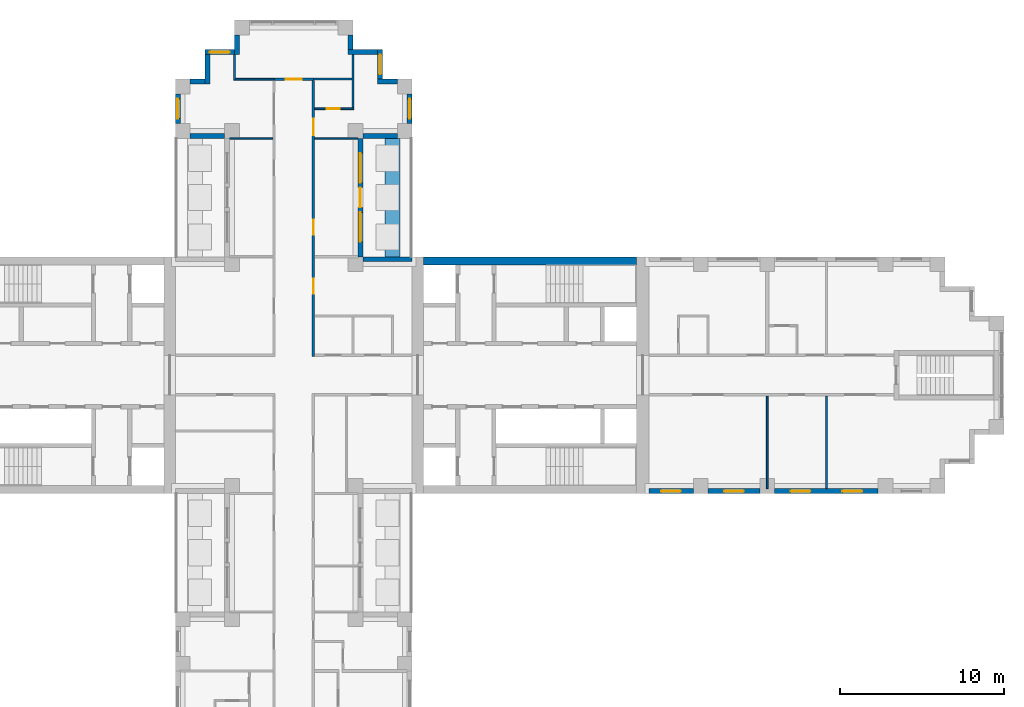
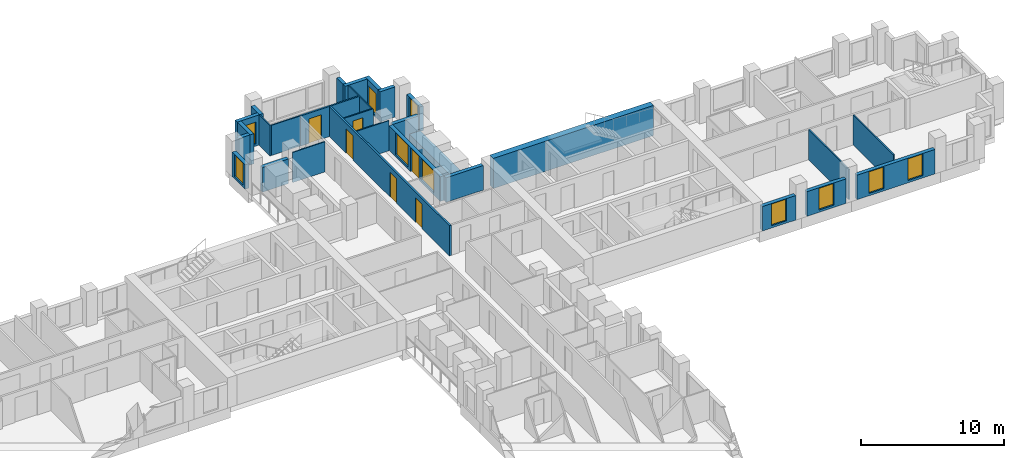
# One storey, part 9 of 13: 30 walls, 10 windows, 6 doors, 16 openings.
"""IFC4 building model written with IfcOpenShell, lengths in metres."""

from ifc_helpers import new_model, si_unit, direction, frame, frame_2d, origin, place, context, subcontext, project, spatial, rectangle, extrude, material, layer, layer_set, type_object, element, fill, save


model = new_model("IFC4")

# Units and contexts
model_context = context("Model", 3, precision=1e-05, world=origin(), true_north=direction((0.0, 1.0)))
body_context = subcontext(model_context, "Body", "Model", "MODEL_VIEW")
ifc_project = project(units=[si_unit("LENGTHUNIT", "METRE"), si_unit("AREAUNIT", "SQUARE_METRE"), si_unit("VOLUMEUNIT", "CUBIC_METRE"), si_unit("PLANEANGLEUNIT", "RADIAN"), si_unit("MASSUNIT", "GRAM", prefix="KILO")], contexts=[model_context])

# Site, building, storey
site_placement = place(None, origin())
site = spatial("IfcSite", under=ifc_project, at=site_placement, CompositionType="ELEMENT")
building_placement = place(site_placement, origin())
building = spatial("IfcBuilding", under=site, at=building_placement, Name="Fustian Cross Tower", CompositionType="ELEMENT")
storey_placement = place(building_placement, frame((0.0, 0.0, 87.89990234375)))
storey = spatial("IfcBuildingStorey", under=building, at=storey_placement, Name="L27", CompositionType="ELEMENT", Elevation=87.89990234375)

# Wall, opening, door
ifc_material_1 = material(Name="Plasterboard on steel stud", Category="steel")
ifc_layer_1 = layer(ifc_material_1, 0.14990234375)
ifc_layer_set_1 = layer_set([ifc_layer_1], Name="Plasterboard on steel stud")
wall_type_1 = type_object("IfcWallType", Name="COMPARTMENT WALL 150 EI 60", PredefinedType="PARTITIONING", material=ifc_layer_set_1)
wall_1_placement = place(storey_placement, frame((-1.199951171875, 18.0, 0.0), z_axis=(0.0, 0.0, 1.0), x_axis=(1.0, 0.0, 0.0)))
wall_1 = element("IfcWall", 1, at=wall_1_placement, inside=storey, type_object=wall_type_1, Name="Partition 40", PredefinedType="PARTITIONING", context=body_context, shape_type="SweptSolid", body=[
    extrude(rectangle(XDim=2.39990234375, YDim=0.14990234375, at=frame_2d((1.199951171875, 0.0))), origin(), (0.0, 0.0, 1.0), 2.5751953125),
])
opening_1_placement = place(wall_1_placement, frame((0.699951171875, 0.0, 0.0)))
opening_1 = element("IfcOpeningElement", 2, at=opening_1_placement, cuts=wall_1, Name="Opening D13017", PredefinedType="OPENING", context=body_context, shape_type="SweptSolid", body=[
    extrude(rectangle(XDim=1.0, YDim=2.10009765625, at=frame_2d((0.5, 1.050048828125))), frame((0.0, 0.0849609375, 0.0), z_axis=(0.0, -1.0, 0.0), x_axis=(1.0, 0.0, 0.0)), (0.0, 0.0, 1.0), 0.169921875),
])
ifc_material_2 = material(Name="Timber fire door set", Category="wood")
door_type_1 = type_object("IfcDoorType", Name="FIRE SWING DOOR 1000 FD30S", OperationType="SINGLE_SWING_LEFT", PredefinedType="DOOR", material=ifc_material_2)
door_1_placement = place(opening_1_placement, origin())
door_1 = element("IfcDoor", 3, at=door_1_placement, inside=storey, type_object=door_type_1, Name="Door D13017", OperationType="SINGLE_SWING_LEFT", OverallHeight=2.10009765625, OverallWidth=1.0, PredefinedType="DOOR", context=body_context, shape_type="SweptSolid", body=[
    extrude(rectangle(XDim=1.0, YDim=2.10009765625, at=frame_2d((0.5, 1.050048828125))), frame((0.0, 0.02490234375, 0.0), z_axis=(0.0, -1.0, 0.0), x_axis=(1.0, 0.0, 0.0)), (0.0, 0.0, 1.0), 0.050048828125),
])
fill(opening_1, door_1)

# Wall, openings, doors
wall_2_placement = place(storey_placement, frame((1.199951171875, 1.125, 0.0), z_axis=(0.0, 0.0, 1.0), x_axis=(0.0, 1.0, 0.0)))
wall_2 = element("IfcWall", 4, at=wall_2_placement, inside=storey, type_object=wall_type_1, Name="Partition 49", PredefinedType="PARTITIONING", context=body_context, shape_type="SweptSolid", body=[
    extrude(rectangle(XDim=16.800048828125, YDim=0.14990234375, at=frame_2d((8.39990234375, 0.0))), origin(), (0.0, 0.0, 1.0), 2.5751953125),
])
opening_2_placement = place(wall_2_placement, frame((3.824951171875, 0.0, 0.0)))
opening_2 = element("IfcOpeningElement", 5, at=opening_2_placement, cuts=wall_2, Name="Opening D13003", PredefinedType="OPENING", context=body_context, shape_type="SweptSolid", body=[
    extrude(rectangle(XDim=0.89990234375, YDim=2.10009765625, at=frame_2d((0.449951171875, 1.050048828125))), frame((0.0, 0.0849609375, 0.0), z_axis=(0.0, -1.0, 0.0), x_axis=(1.0, 0.0, 0.0)), (0.0, 0.0, 1.0), 0.169921875),
])
opening_3_placement = place(wall_2_placement, frame((7.425048828125, 0.0, 0.0)))
opening_3 = element("IfcOpeningElement", 6, at=opening_3_placement, cuts=wall_2, Name="Opening D13020", PredefinedType="OPENING", context=body_context, shape_type="SweptSolid", body=[
    extrude(rectangle(XDim=0.89990234375, YDim=2.10009765625, at=frame_2d((0.449951171875, 1.050048828125))), frame((0.0, 0.0849609375, 0.0), z_axis=(0.0, -1.0, 0.0), x_axis=(1.0, 0.0, 0.0)), (0.0, 0.0, 1.0), 0.169921875),
])
opening_4_placement = place(wall_2_placement, frame((13.47509765625, 0.0, 0.0)))
opening_4 = element("IfcOpeningElement", 7, at=opening_4_placement, cuts=wall_2, Name="Opening D13022", PredefinedType="OPENING", context=body_context, shape_type="SweptSolid", body=[
    extrude(rectangle(XDim=1.0, YDim=2.10009765625, at=frame_2d((0.5, 1.050048828125))), frame((0.0, 0.0849609375, 0.0), z_axis=(0.0, -1.0, 0.0), x_axis=(1.0, 0.0, 0.0)), (0.0, 0.0, 1.0), 0.169921875),
])
door_2_placement = place(opening_4_placement, frame((1.0, 0.0, 0.0), z_axis=(0.0, 0.0, 1.0), x_axis=(-1.0, 0.0, 0.0)))
door_2 = element("IfcDoor", 8, at=door_2_placement, inside=storey, type_object=door_type_1, Name="Door D13022", OperationType="SINGLE_SWING_RIGHT", OverallHeight=2.10009765625, OverallWidth=1.0, PredefinedType="DOOR", context=body_context, shape_type="SweptSolid", body=[
    extrude(rectangle(XDim=1.0, YDim=2.10009765625, at=frame_2d((0.5, 1.050048828125))), frame((0.0, 0.02490234375, 0.0), z_axis=(0.0, -1.0, 0.0), x_axis=(1.0, 0.0, 0.0)), (0.0, 0.0, 1.0), 0.050048828125),
])
fill(opening_4, door_2)
ifc_material_3 = material(Name="Timber fire door set", Category="wood")
door_type_2 = type_object("IfcDoorType", Name="FIRE SWING DOOR 900 FD30S", OperationType="SINGLE_SWING_LEFT", PredefinedType="DOOR", material=ifc_material_3)
door_3_placement = place(opening_2_placement, frame((0.89990234375, 0.0, 0.0), z_axis=(0.0, 0.0, 1.0), x_axis=(-1.0, 0.0, 0.0)))
door_3 = element("IfcDoor", 9, at=door_3_placement, inside=storey, type_object=door_type_2, Name="Door D13003", OperationType="SINGLE_SWING_RIGHT", OverallHeight=2.10009765625, OverallWidth=0.89990234375, PredefinedType="DOOR", context=body_context, shape_type="SweptSolid", body=[
    extrude(rectangle(XDim=0.89990234375, YDim=2.10009765625, at=frame_2d((0.449951171875, 1.050048828125))), frame((0.0, 0.02490234375, 0.0), z_axis=(0.0, -1.0, 0.0), x_axis=(1.0, 0.0, 0.0)), (0.0, 0.0, 1.0), 0.050048828125),
])
fill(opening_2, door_3)
door_4_placement = place(opening_3_placement, frame((0.89990234375, 0.0, 0.0), z_axis=(0.0, 0.0, 1.0), x_axis=(-1.0, 0.0, 0.0)))
door_4 = element("IfcDoor", 10, at=door_4_placement, inside=storey, type_object=door_type_2, Name="Door D13020", OperationType="SINGLE_SWING_RIGHT", OverallHeight=2.10009765625, OverallWidth=0.89990234375, PredefinedType="DOOR", context=body_context, shape_type="SweptSolid", body=[
    extrude(rectangle(XDim=0.89990234375, YDim=2.10009765625, at=frame_2d((0.449951171875, 1.050048828125))), frame((0.0, 0.02490234375, 0.0), z_axis=(0.0, -1.0, 0.0), x_axis=(1.0, 0.0, 0.0)), (0.0, 0.0, 1.0), 0.050048828125),
])
fill(opening_3, door_4)

# Walls
ifc_material_4 = material(Name="Concrete C70/85", Category="concrete")
ifc_layer_2 = layer(ifc_material_4, 0.5)
ifc_layer_set_2 = layer_set([ifc_layer_2], Name="Concrete C70/85")
wall_type_2 = type_object("IfcWallType", Name="CORE FACADE WALL 500 C70/85", PredefinedType="SHEAR", material=ifc_layer_set_2)
wall_3_placement = place(storey_placement, frame((7.89990234375, 6.949951171875, 0.0), z_axis=(0.0, 0.0, 1.0), x_axis=(1.0, 0.0, 0.0)))
element("IfcWall", 11, at=wall_3_placement, inside=storey, type_object=wall_type_2, Name="Core facade wall", PredefinedType="SHEAR", context=body_context, shape_type="SweptSolid", body=[
    extrude(rectangle(XDim=12.9501953125, YDim=0.5, at=frame_2d((6.47509765625, 0.0))), origin(), (0.0, 0.0, 1.0), 2.5751953125),
])
ifc_material_5 = material(Name="Plasterboard on steel stud", Category="steel")
ifc_layer_3 = layer(ifc_material_5, 0.10009765625)
ifc_layer_set_3 = layer_set([ifc_layer_3], Name="Plasterboard on steel stud")
wall_type_3 = type_object("IfcWallType", Name="PARTITION 100 STUD", PredefinedType="PARTITIONING", material=ifc_layer_set_3)
wall_4_placement = place(storey_placement, frame((-3.89990234375, 14.39990234375, 0.0), z_axis=(0.0, 0.0, 1.0), x_axis=(1.0, 0.0, 0.0)))
element("IfcWall", 12, at=wall_4_placement, inside=storey, type_object=wall_type_3, Name="Partition 34", PredefinedType="PARTITIONING", context=body_context, shape_type="SweptSolid", body=[
    extrude(rectangle(XDim=2.625, YDim=0.10009765625, at=frame_2d((1.3125, 0.0))), origin(), (0.0, 0.0, 1.0), 2.5751953125),
])
wall_5_placement = place(storey_placement, frame((-3.60009765625, 17.949951171875, 0.0), z_axis=(0.0, 0.0, 1.0), x_axis=(0.0, 1.0, 0.0)))
element("IfcWall", 13, at=wall_5_placement, inside=storey, type_object=wall_type_3, Name="Partition 35", PredefinedType="PARTITIONING", context=body_context, shape_type="SweptSolid", body=[
    extrude(rectangle(XDim=1.550048828125, YDim=0.10009765625, at=frame_2d((0.77490234375, 0.0))), origin(), (0.0, 0.0, 1.0), 2.5751953125),
])
wall_6_placement = place(storey_placement, frame((-3.550048828125, 18.0, 0.0), z_axis=(0.0, 0.0, 1.0), x_axis=(1.0, 0.0, 0.0)))
element("IfcWall", 14, at=wall_6_placement, inside=storey, type_object=wall_type_3, Name="Partition 36", PredefinedType="PARTITIONING", context=body_context, shape_type="SweptSolid", body=[
    extrude(rectangle(XDim=2.35009765625, YDim=0.10009765625, at=frame_2d((1.175048828125, 0.0))), origin(), (0.0, 0.0, 1.0), 2.5751953125),
])
wall_7_placement = place(storey_placement, frame((1.27490234375, 14.39990234375, 0.0), z_axis=(0.0, 0.0, 1.0), x_axis=(1.0, 0.0, 0.0)))
element("IfcWall", 15, at=wall_7_placement, inside=storey, type_object=wall_type_3, Name="Partition 53", PredefinedType="PARTITIONING", context=body_context, shape_type="SweptSolid", body=[
    extrude(rectangle(XDim=2.625, YDim=0.10009765625, at=frame_2d((1.3125, 0.0))), origin(), (0.0, 0.0, 1.0), 2.5751953125),
])

# Wall, opening, door
wall_8_placement = place(storey_placement, frame((1.27490234375, 16.199951171875, 0.0), z_axis=(0.0, 0.0, 1.0), x_axis=(1.0, 0.0, 0.0)))
wall_8 = element("IfcWall", 16, at=wall_8_placement, inside=storey, type_object=wall_type_3, Name="Partition 54", PredefinedType="PARTITIONING", context=body_context, shape_type="SweptSolid", body=[
    extrude(rectangle(XDim=2.375, YDim=0.10009765625, at=frame_2d((1.1875, 0.0))), origin(), (0.0, 0.0, 1.0), 2.5751953125),
])
opening_5_placement = place(wall_8_placement, frame((0.72509765625, 0.0, 0.0)))
opening_5 = element("IfcOpeningElement", 17, at=opening_5_placement, cuts=wall_8, Name="Opening D13021", PredefinedType="OPENING", context=body_context, shape_type="SweptSolid", body=[
    extrude(rectangle(XDim=0.800048828125, YDim=2.10009765625, at=frame_2d((0.39990234375, 1.050048828125))), frame((0.0, 0.06005859375, 0.0), z_axis=(0.0, -1.0, 0.0), x_axis=(1.0, 0.0, 0.0)), (0.0, 0.0, 1.0), 0.1201171875),
])
ifc_material_6 = material(Name="Painted timber", Category="wood")
door_type_3 = type_object("IfcDoorType", Name="SWING DOOR 800", OperationType="SINGLE_SWING_LEFT", PredefinedType="DOOR", material=ifc_material_6)
door_5_placement = place(opening_5_placement, origin())
door_5 = element("IfcDoor", 18, at=door_5_placement, inside=storey, type_object=door_type_3, Name="Door D13021", OperationType="SINGLE_SWING_LEFT", OverallHeight=2.10009765625, OverallWidth=0.800048828125, PredefinedType="DOOR", context=body_context, shape_type="SweptSolid", body=[
    extrude(rectangle(XDim=0.800048828125, YDim=2.10009765625, at=frame_2d((0.39990234375, 1.050048828125))), frame((0.0, 0.02490234375, 0.0), z_axis=(0.0, -1.0, 0.0), x_axis=(1.0, 0.0, 0.0)), (0.0, 0.0, 1.0), 0.050048828125),
])
fill(opening_5, door_5)

# Walls
wall_9_placement = place(storey_placement, frame((3.60009765625, 16.25, 0.0), z_axis=(0.0, 0.0, 1.0), x_axis=(0.0, 1.0, 0.0)))
element("IfcWall", 19, at=wall_9_placement, inside=storey, type_object=wall_type_3, Name="Partition 64", PredefinedType="PARTITIONING", context=body_context, shape_type="SweptSolid", body=[
    extrude(rectangle(XDim=3.25, YDim=0.10009765625, at=frame_2d((1.625, 0.0))), origin(), (0.0, 0.0, 1.0), 2.5751953125),
])
for number, where, z_axis, x_axis, name in (
    (20, (28.800048828125, -6.89990234375, 0.0), (0.0, 0.0, 1.0), (0.0, 1.0, 0.0), "Partition 75"),
    (21, (32.39990234375, -6.89990234375, 0.0), (0.0, 0.0, 1.0), (0.0, 1.0, 0.0), "Partition 79"),
):
    element("IfcWall", number, at=place(storey_placement, frame(where, z_axis=z_axis, x_axis=x_axis)), inside=storey, type_object=wall_type_3, Name=name, PredefinedType="PARTITIONING", context=body_context, shape_type="SweptSolid", body=[
        extrude(rectangle(XDim=5.625, YDim=0.10009765625, at=frame_2d((2.8125, 0.0))), origin(), (0.0, 0.0, 1.0), 2.5751953125),
    ])
ifc_material_7 = material(Name="Concrete C40/50", Category="concrete")
ifc_layer_4 = layer(ifc_material_7, 0.89990234375)
ifc_layer_set_4 = layer_set([ifc_layer_4], Name="Concrete C40/50")
wall_type_4 = type_object("IfcWallType", Name="PK1 PLANTER 900", PredefinedType="PARAPET", material=ifc_layer_set_4)
wall_10_placement = place(storey_placement, frame((6.0, 7.199951171875, 0.0), z_axis=(0.0, 0.0, 1.0), x_axis=(0.0, 1.0, 0.0)))
element("IfcWall", 22, at=wall_10_placement, inside=storey, type_object=wall_type_4, Name="PLANTER", PredefinedType="PARAPET", context=body_context, shape_type="SweptSolid", body=[
    extrude(rectangle(XDim=7.199951171875, YDim=0.89990234375, at=frame_2d((3.60009765625, 0.0))), origin(), (0.0, 0.0, 1.0), 0.800048828125),
])
ifc_material_8 = material(Name="Plasterboard on steel stud", Category="steel")
ifc_layer_5 = layer(ifc_material_8, 0.125)
ifc_layer_set_5 = layer_set([ifc_layer_5], Name="Plasterboard on steel stud")
wall_type_5 = type_object("IfcWallType", Name="WET WALL 125 STUD", PredefinedType="PARTITIONING", material=ifc_layer_set_5)
wall_11_placement = place(storey_placement, frame((1.199951171875, 18.0, 0.0), z_axis=(0.0, 0.0, 1.0), x_axis=(1.0, 0.0, 0.0)))
element("IfcWall", 23, at=wall_11_placement, inside=storey, type_object=wall_type_5, Name="Partition 55", PredefinedType="PARTITIONING", context=body_context, shape_type="SweptSolid", body=[
    extrude(rectangle(XDim=2.35009765625, YDim=0.125, at=frame_2d((1.175048828125, 0.0))), origin(), (0.0, 0.0, 1.0), 2.5751953125),
])

# Wall, opening, window
ifc_material_9 = material(Name="Dark aluminium cladding on insulated backing wall", Category="aluminium")
ifc_layer_6 = layer(ifc_material_9, 0.300048828125)
ifc_layer_set_6 = layer_set([ifc_layer_6], Name="Dark aluminium cladding on insulated backing wall")
wall_type_6 = type_object("IfcWallType", Name="XW1 EXTERNAL WALL 300", PredefinedType="SOLIDWALL", material=ifc_layer_set_6)
wall_12_placement = place(storey_placement, frame((21.60009765625, -7.050048828125, 0.0), z_axis=(0.0, 0.0, 1.0), x_axis=(1.0, 0.0, 0.0)))
wall_12 = element("IfcWall", 24, at=wall_12_placement, inside=storey, type_object=wall_type_6, Name="External wall", PredefinedType="SOLIDWALL", context=body_context, shape_type="SweptSolid", body=[
    extrude(rectangle(XDim=2.699951171875, YDim=0.300048828125, at=frame_2d((1.35009765625, 0.0))), origin(), (0.0, 0.0, 1.0), 2.10009765625),
])
opening_6_placement = place(wall_12_placement, frame((0.75, 0.0, 0.199951171875)))
opening_6 = element("IfcOpeningElement", 25, at=opening_6_placement, cuts=wall_12, Name="Opening WN3", PredefinedType="OPENING", context=body_context, shape_type="SweptSolid", body=[
    extrude(rectangle(XDim=1.199951171875, YDim=1.85009765625, at=frame_2d((0.60009765625, 0.925048828125))), frame((0.0, 0.159912109375, 0.0), z_axis=(0.0, -1.0, 0.0), x_axis=(1.0, 0.0, 0.0)), (0.0, 0.0, 1.0), 0.320068359375),
])
ifc_material_10 = material(Name="Dark anodised aluminium and double glazing", Category="aluminium")
window_type_1 = type_object("IfcWindowType", Name="WN3 WINDOW 1200X1850", PartitioningType="SINGLE_PANEL", PredefinedType="WINDOW", material=ifc_material_10)
window_1_placement = place(opening_6_placement, origin())
window_1 = element("IfcWindow", 26, at=window_1_placement, inside=storey, type_object=window_type_1, Name="Window", OverallHeight=1.85009765625, OverallWidth=1.199951171875, PartitioningType="SINGLE_PANEL", PredefinedType="WINDOW", context=body_context, shape_type="SweptSolid", body=[
    extrude(rectangle(XDim=1.199951171875, YDim=1.85009765625, at=frame_2d((0.60009765625, 0.925048828125))), frame((0.0, 0.030029296875, 0.0), z_axis=(0.0, -1.0, 0.0), x_axis=(1.0, 0.0, 0.0)), (0.0, 0.0, 1.0), 0.06005859375),
])
fill(opening_6, window_1)

wall_13_placement = place(storey_placement, frame((25.199951171875, -7.050048828125, 0.0), z_axis=(0.0, 0.0, 1.0), x_axis=(1.0, 0.0, 0.0)))
wall_13 = element("IfcWall", 27, at=wall_13_placement, inside=storey, type_object=wall_type_6, Name="External wall", PredefinedType="SOLIDWALL", context=body_context, shape_type="SweptSolid", body=[
    extrude(rectangle(XDim=3.150146484375, YDim=0.300048828125, at=frame_2d((1.5751953125, 0.0))), origin(), (0.0, 0.0, 1.0), 2.10009765625),
])
opening_7_placement = place(wall_13_placement, frame((0.97509765625, 0.0, 0.199951171875)))
opening_7 = element("IfcOpeningElement", 28, at=opening_7_placement, cuts=wall_13, Name="Opening WN3", PredefinedType="OPENING", context=body_context, shape_type="SweptSolid", body=[
    extrude(rectangle(XDim=1.199951171875, YDim=1.85009765625, at=frame_2d((0.60009765625, 0.925048828125))), frame((0.0, 0.159912109375, 0.0), z_axis=(0.0, -1.0, 0.0), x_axis=(1.0, 0.0, 0.0)), (0.0, 0.0, 1.0), 0.320068359375),
])
window_2_placement = place(opening_7_placement, origin())
window_2 = element("IfcWindow", 29, at=window_2_placement, inside=storey, type_object=window_type_1, Name="Window", OverallHeight=1.85009765625, OverallWidth=1.199951171875, PartitioningType="SINGLE_PANEL", PredefinedType="WINDOW", context=body_context, shape_type="SweptSolid", body=[
    extrude(rectangle(XDim=1.199951171875, YDim=1.85009765625, at=frame_2d((0.60009765625, 0.925048828125))), frame((0.0, 0.030029296875, 0.0), z_axis=(0.0, -1.0, 0.0), x_axis=(1.0, 0.0, 0.0)), (0.0, 0.0, 1.0), 0.06005859375),
])
fill(opening_7, window_2)

# Wall, openings, windows
wall_14_placement = place(storey_placement, frame((29.25, -7.050048828125, 0.0), z_axis=(0.0, 0.0, 1.0), x_axis=(1.0, 0.0, 0.0)))
wall_14 = element("IfcWall", 30, at=wall_14_placement, inside=storey, type_object=wall_type_6, Name="External wall", PredefinedType="SOLIDWALL", context=body_context, shape_type="SweptSolid", body=[
    extrude(rectangle(XDim=6.300048828125, YDim=0.300048828125, at=frame_2d((3.14990234375, 0.0))), origin(), (0.0, 0.0, 1.0), 2.10009765625),
])
opening_8_placement = place(wall_14_placement, frame((0.97509765625, 0.0, 0.199951171875)))
opening_8 = element("IfcOpeningElement", 31, at=opening_8_placement, cuts=wall_14, Name="Opening WN3", PredefinedType="OPENING", context=body_context, shape_type="SweptSolid", body=[
    extrude(rectangle(XDim=1.199951171875, YDim=1.85009765625, at=frame_2d((0.60009765625, 0.925048828125))), frame((0.0, 0.159912109375, 0.0), z_axis=(0.0, -1.0, 0.0), x_axis=(1.0, 0.0, 0.0)), (0.0, 0.0, 1.0), 0.320068359375),
])
opening_9_placement = place(wall_14_placement, frame((4.125, 0.0, 0.199951171875)))
opening_9 = element("IfcOpeningElement", 32, at=opening_9_placement, cuts=wall_14, Name="Opening WN3", PredefinedType="OPENING", context=body_context, shape_type="SweptSolid", body=[
    extrude(rectangle(XDim=1.199951171875, YDim=1.85009765625, at=frame_2d((0.60009765625, 0.925048828125))), frame((0.0, 0.159912109375, 0.0), z_axis=(0.0, -1.0, 0.0), x_axis=(1.0, 0.0, 0.0)), (0.0, 0.0, 1.0), 0.320068359375),
])
window_3_placement = place(opening_8_placement, origin())
window_3 = element("IfcWindow", 33, at=window_3_placement, inside=storey, type_object=window_type_1, Name="Window", OverallHeight=1.85009765625, OverallWidth=1.199951171875, PartitioningType="SINGLE_PANEL", PredefinedType="WINDOW", context=body_context, shape_type="SweptSolid", body=[
    extrude(rectangle(XDim=1.199951171875, YDim=1.85009765625, at=frame_2d((0.60009765625, 0.925048828125))), frame((0.0, 0.030029296875, 0.0), z_axis=(0.0, -1.0, 0.0), x_axis=(1.0, 0.0, 0.0)), (0.0, 0.0, 1.0), 0.06005859375),
])
fill(opening_8, window_3)
window_4_placement = place(opening_9_placement, origin())
window_4 = element("IfcWindow", 34, at=window_4_placement, inside=storey, type_object=window_type_1, Name="Window", OverallHeight=1.85009765625, OverallWidth=1.199951171875, PartitioningType="SINGLE_PANEL", PredefinedType="WINDOW", context=body_context, shape_type="SweptSolid", body=[
    extrude(rectangle(XDim=1.199951171875, YDim=1.85009765625, at=frame_2d((0.60009765625, 0.925048828125))), frame((0.0, 0.030029296875, 0.0), z_axis=(0.0, -1.0, 0.0), x_axis=(1.0, 0.0, 0.0)), (0.0, 0.0, 1.0), 0.06005859375),
])
fill(opening_9, window_4)

# Wall
wall_15_placement = place(storey_placement, frame((7.199951171875, 7.050048828125, 0.0), z_axis=(0.0, 0.0, 1.0), x_axis=(-1.0, 0.0, 0.0)))
element("IfcWall", 35, at=wall_15_placement, inside=storey, type_object=wall_type_6, Name="External wall", PredefinedType="SOLIDWALL", context=body_context, shape_type="SweptSolid", body=[
    extrude(rectangle(XDim=3.0, YDim=0.300048828125, at=frame_2d((1.5, 0.0))), origin(), (0.0, 0.0, 1.0), 2.10009765625),
])

# Wall, openings, door, windows
wall_16_placement = place(storey_placement, frame((4.050048828125, 7.199951171875, 0.0), z_axis=(0.0, 0.0, 1.0), x_axis=(0.0, 1.0, 0.0)))
wall_16 = element("IfcWall", 36, at=wall_16_placement, inside=storey, type_object=wall_type_6, Name="External wall", PredefinedType="SOLIDWALL", context=body_context, shape_type="SweptSolid", body=[
    extrude(rectangle(XDim=7.199951171875, YDim=0.300048828125, at=frame_2d((3.60009765625, 0.0))), origin(), (0.0, 0.0, 1.0), 2.10009765625),
])
opening_10_placement = place(wall_16_placement, frame((3.0, 0.0, 0.0)))
opening_10 = element("IfcOpeningElement", 37, at=opening_10_placement, cuts=wall_16, Name="Opening XD1", PredefinedType="OPENING", context=body_context, shape_type="SweptSolid", body=[
    extrude(rectangle(XDim=1.199951171875, YDim=2.050048828125, at=frame_2d((0.60009765625, 1.02490234375))), frame((0.0, 0.159912109375, 0.0), z_axis=(0.0, -1.0, 0.0), x_axis=(1.0, 0.0, 0.0)), (0.0, 0.0, 1.0), 0.320068359375),
])
opening_11_placement = place(wall_16_placement, frame((0.89990234375, 0.0, 0.199951171875)))
opening_11 = element("IfcOpeningElement", 38, at=opening_11_placement, cuts=wall_16, Name="Opening WN2", PredefinedType="OPENING", context=body_context, shape_type="SweptSolid", body=[
    extrude(rectangle(XDim=1.800048828125, YDim=1.85009765625, at=frame_2d((0.89990234375, 0.925048828125))), frame((0.0, 0.159912109375, 0.0), z_axis=(0.0, -1.0, 0.0), x_axis=(1.0, 0.0, 0.0)), (0.0, 0.0, 1.0), 0.320068359375),
])
opening_12_placement = place(wall_16_placement, frame((4.5, 0.0, 0.199951171875)))
opening_12 = element("IfcOpeningElement", 39, at=opening_12_placement, cuts=wall_16, Name="Opening WN2", PredefinedType="OPENING", context=body_context, shape_type="SweptSolid", body=[
    extrude(rectangle(XDim=1.800048828125, YDim=1.85009765625, at=frame_2d((0.89990234375, 0.925048828125))), frame((0.0, 0.159912109375, 0.0), z_axis=(0.0, -1.0, 0.0), x_axis=(1.0, 0.0, 0.0)), (0.0, 0.0, 1.0), 0.320068359375),
])
ifc_material_11 = material(Name="Dark anodised aluminium and double glazing", Category="aluminium")
door_type_4 = type_object("IfcDoorType", Name="ED1 BALCONY DOOR 1200X2050", OperationType="SINGLE_SWING_LEFT", PredefinedType="DOOR", material=ifc_material_11)
door_6_placement = place(opening_10_placement, origin())
door_6 = element("IfcDoor", 40, at=door_6_placement, inside=storey, type_object=door_type_4, Name="Balcony door", OperationType="SINGLE_SWING_LEFT", OverallHeight=2.050048828125, OverallWidth=1.199951171875, PredefinedType="DOOR", context=body_context, shape_type="SweptSolid", body=[
    extrude(rectangle(XDim=1.199951171875, YDim=2.050048828125, at=frame_2d((0.60009765625, 1.02490234375))), frame((0.0, 0.02490234375, 0.0), z_axis=(0.0, -1.0, 0.0), x_axis=(1.0, 0.0, 0.0)), (0.0, 0.0, 1.0), 0.050048828125),
])
fill(opening_10, door_6)
ifc_material_12 = material(Name="Dark anodised aluminium and double glazing", Category="aluminium")
window_type_2 = type_object("IfcWindowType", Name="WN2 WINDOW 1800X1850", PartitioningType="SINGLE_PANEL", PredefinedType="WINDOW", material=ifc_material_12)
window_5_placement = place(opening_11_placement, origin())
window_5 = element("IfcWindow", 41, at=window_5_placement, inside=storey, type_object=window_type_2, Name="Window", OverallHeight=1.85009765625, OverallWidth=1.800048828125, PartitioningType="SINGLE_PANEL", PredefinedType="WINDOW", context=body_context, shape_type="SweptSolid", body=[
    extrude(rectangle(XDim=1.800048828125, YDim=1.85009765625, at=frame_2d((0.89990234375, 0.925048828125))), frame((0.0, 0.030029296875, 0.0), z_axis=(0.0, -1.0, 0.0), x_axis=(1.0, 0.0, 0.0)), (0.0, 0.0, 1.0), 0.06005859375),
])
fill(opening_11, window_5)
window_6_placement = place(opening_12_placement, origin())
window_6 = element("IfcWindow", 42, at=window_6_placement, inside=storey, type_object=window_type_2, Name="Window", OverallHeight=1.85009765625, OverallWidth=1.800048828125, PartitioningType="SINGLE_PANEL", PredefinedType="WINDOW", context=body_context, shape_type="SweptSolid", body=[
    extrude(rectangle(XDim=1.800048828125, YDim=1.85009765625, at=frame_2d((0.89990234375, 0.925048828125))), frame((0.0, 0.030029296875, 0.0), z_axis=(0.0, -1.0, 0.0), x_axis=(1.0, 0.0, 0.0)), (0.0, 0.0, 1.0), 0.06005859375),
])
fill(opening_12, window_6)

# Wall
wall_17_placement = place(storey_placement, frame((4.199951171875, 14.550048828125, 0.0), z_axis=(0.0, 0.0, 1.0), x_axis=(1.0, 0.0, 0.0)))
element("IfcWall", 43, at=wall_17_placement, inside=storey, type_object=wall_type_6, Name="External wall", PredefinedType="SOLIDWALL", context=body_context, shape_type="SweptSolid", body=[
    extrude(rectangle(XDim=2.10009765625, YDim=0.300048828125, at=frame_2d((1.050048828125, 0.0))), origin(), (0.0, 0.0, 1.0), 2.10009765625),
])

# Wall, opening, window
wall_18_placement = place(storey_placement, frame((7.050048828125, 15.300048828125, 0.0), z_axis=(0.0, 0.0, 1.0), x_axis=(0.0, 1.0, 0.0)))
wall_18 = element("IfcWall", 44, at=wall_18_placement, inside=storey, type_object=wall_type_6, Name="External wall", PredefinedType="SOLIDWALL", context=body_context, shape_type="SweptSolid", body=[
    extrude(rectangle(XDim=1.800048828125, YDim=0.300048828125, at=frame_2d((0.89990234375, 0.0))), origin(), (0.0, 0.0, 1.0), 2.10009765625),
])
opening_13_placement = place(wall_18_placement, frame((0.300048828125, 0.0, 0.199951171875)))
opening_13 = element("IfcOpeningElement", 45, at=opening_13_placement, cuts=wall_18, Name="Opening WN3", PredefinedType="OPENING", context=body_context, shape_type="SweptSolid", body=[
    extrude(rectangle(XDim=1.199951171875, YDim=1.85009765625, at=frame_2d((0.60009765625, 0.925048828125))), frame((0.0, 0.159912109375, 0.0), z_axis=(0.0, -1.0, 0.0), x_axis=(1.0, 0.0, 0.0)), (0.0, 0.0, 1.0), 0.320068359375),
])
window_7_placement = place(opening_13_placement, origin())
window_7 = element("IfcWindow", 46, at=window_7_placement, inside=storey, type_object=window_type_1, Name="Window", OverallHeight=1.85009765625, OverallWidth=1.199951171875, PartitioningType="SINGLE_PANEL", PredefinedType="WINDOW", context=body_context, shape_type="SweptSolid", body=[
    extrude(rectangle(XDim=1.199951171875, YDim=1.85009765625, at=frame_2d((0.60009765625, 0.925048828125))), frame((0.0, 0.030029296875, 0.0), z_axis=(0.0, -1.0, 0.0), x_axis=(1.0, 0.0, 0.0)), (0.0, 0.0, 1.0), 0.06005859375),
])
fill(opening_13, window_7)

# Wall
wall_19_placement = place(storey_placement, frame((6.300048828125, 17.85009765625, 0.0), z_axis=(0.0, 0.0, 1.0), x_axis=(-1.0, 0.0, 0.0)))
element("IfcWall", 47, at=wall_19_placement, inside=storey, type_object=wall_type_6, Name="External wall", PredefinedType="SOLIDWALL", context=body_context, shape_type="SweptSolid", body=[
    extrude(rectangle(XDim=1.199951171875, YDim=0.300048828125, at=frame_2d((0.60009765625, 0.0))), origin(), (0.0, 0.0, 1.0), 2.5751953125),
])

# Wall, opening, window
wall_20_placement = place(storey_placement, frame((5.25, 18.0, 0.0), z_axis=(0.0, 0.0, 1.0), x_axis=(0.0, 1.0, 0.0)))
wall_20 = element("IfcWall", 48, at=wall_20_placement, inside=storey, type_object=wall_type_6, Name="External wall", PredefinedType="SOLIDWALL", context=body_context, shape_type="SweptSolid", body=[
    extrude(rectangle(XDim=1.800048828125, YDim=0.300048828125, at=frame_2d((0.89990234375, 0.0))), origin(), (0.0, 0.0, 1.0), 2.5751953125),
])
opening_14_placement = place(wall_20_placement, frame((0.300048828125, 0.0, 0.199951171875)))
opening_14 = element("IfcOpeningElement", 49, at=opening_14_placement, cuts=wall_20, Name="Opening WN3", PredefinedType="OPENING", context=body_context, shape_type="SweptSolid", body=[
    extrude(rectangle(XDim=1.199951171875, YDim=1.85009765625, at=frame_2d((0.60009765625, 0.925048828125))), frame((0.0, 0.159912109375, 0.0), z_axis=(0.0, -1.0, 0.0), x_axis=(1.0, 0.0, 0.0)), (0.0, 0.0, 1.0), 0.320068359375),
])
window_8_placement = place(opening_14_placement, origin())
window_8 = element("IfcWindow", 50, at=window_8_placement, inside=storey, type_object=window_type_1, Name="Window", OverallHeight=1.85009765625, OverallWidth=1.199951171875, PartitioningType="SINGLE_PANEL", PredefinedType="WINDOW", context=body_context, shape_type="SweptSolid", body=[
    extrude(rectangle(XDim=1.199951171875, YDim=1.85009765625, at=frame_2d((0.60009765625, 0.925048828125))), frame((0.0, 0.030029296875, 0.0), z_axis=(0.0, -1.0, 0.0), x_axis=(1.0, 0.0, 0.0)), (0.0, 0.0, 1.0), 0.06005859375),
])
fill(opening_14, window_8)

# Walls
wall_21_placement = place(storey_placement, frame((5.10009765625, 19.64990234375, 0.0), z_axis=(0.0, 0.0, 1.0), x_axis=(-1.0, 0.0, 0.0)))
element("IfcWall", 51, at=wall_21_placement, inside=storey, type_object=wall_type_6, Name="External wall", PredefinedType="SOLIDWALL", context=body_context, shape_type="SweptSolid", body=[
    extrude(rectangle(XDim=1.800048828125, YDim=0.300048828125, at=frame_2d((0.89990234375, 0.0))), origin(), (0.0, 0.0, 1.0), 2.5751953125),
])
wall_22_placement = place(storey_placement, frame((3.449951171875, 19.800048828125, 0.0), z_axis=(0.0, 0.0, 1.0), x_axis=(0.0, 1.0, 0.0)))
element("IfcWall", 52, at=wall_22_placement, inside=storey, type_object=wall_type_6, Name="External wall", PredefinedType="SOLIDWALL", context=body_context, shape_type="SweptSolid", body=[
    extrude(rectangle(XDim=0.89990234375, YDim=0.300048828125, at=frame_2d((0.449951171875, 0.0))), origin(), (0.0, 0.0, 1.0), 2.5751953125),
])
wall_23_placement = place(storey_placement, frame((-3.449951171875, 20.699951171875, 0.0), z_axis=(0.0, 0.0, 1.0), x_axis=(0.0, -1.0, 0.0)))
element("IfcWall", 53, at=wall_23_placement, inside=storey, type_object=wall_type_6, Name="External wall", PredefinedType="SOLIDWALL", context=body_context, shape_type="SweptSolid", body=[
    extrude(rectangle(XDim=1.199951171875, YDim=0.300048828125, at=frame_2d((0.60009765625, 0.0))), origin(), (0.0, 0.0, 1.0), 2.5751953125),
])

# Wall, opening, window
wall_24_placement = place(storey_placement, frame((-3.60009765625, 19.64990234375, 0.0), z_axis=(0.0, 0.0, 1.0), x_axis=(-1.0, 0.0, 0.0)))
wall_24 = element("IfcWall", 54, at=wall_24_placement, inside=storey, type_object=wall_type_6, Name="External wall", PredefinedType="SOLIDWALL", context=body_context, shape_type="SweptSolid", body=[
    extrude(rectangle(XDim=1.7998046875, YDim=0.300048828125, at=frame_2d((0.89990234375, 0.0))), origin(), (0.0, 0.0, 1.0), 2.5751953125),
])
opening_15_placement = place(wall_24_placement, frame((0.300048828125, 0.0, 0.199951171875)))
opening_15 = element("IfcOpeningElement", 55, at=opening_15_placement, cuts=wall_24, Name="Opening WN3", PredefinedType="OPENING", context=body_context, shape_type="SweptSolid", body=[
    extrude(rectangle(XDim=1.199951171875, YDim=1.85009765625, at=frame_2d((0.60009765625, 0.925048828125))), frame((0.0, 0.159912109375, 0.0), z_axis=(0.0, -1.0, 0.0), x_axis=(1.0, 0.0, 0.0)), (0.0, 0.0, 1.0), 0.320068359375),
])
window_9_placement = place(opening_15_placement, origin())
window_9 = element("IfcWindow", 56, at=window_9_placement, inside=storey, type_object=window_type_1, Name="Window", OverallHeight=1.85009765625, OverallWidth=1.199951171875, PartitioningType="SINGLE_PANEL", PredefinedType="WINDOW", context=body_context, shape_type="SweptSolid", body=[
    extrude(rectangle(XDim=1.199951171875, YDim=1.85009765625, at=frame_2d((0.60009765625, 0.925048828125))), frame((0.0, 0.030029296875, 0.0), z_axis=(0.0, -1.0, 0.0), x_axis=(1.0, 0.0, 0.0)), (0.0, 0.0, 1.0), 0.06005859375),
])
fill(opening_15, window_9)

# Walls
wall_25_placement = place(storey_placement, frame((-5.25, 19.5, 0.0), z_axis=(0.0, 0.0, 1.0), x_axis=(0.0, -1.0, 0.0)))
element("IfcWall", 57, at=wall_25_placement, inside=storey, type_object=wall_type_6, Name="External wall", PredefinedType="SOLIDWALL", context=body_context, shape_type="SweptSolid", body=[
    extrude(rectangle(XDim=1.800048828125, YDim=0.300048828125, at=frame_2d((0.89990234375, 0.0))), origin(), (0.0, 0.0, 1.0), 2.5751953125),
])
wall_26_placement = place(storey_placement, frame((-5.39990234375, 17.85009765625, 0.0), z_axis=(0.0, 0.0, 1.0), x_axis=(-1.0, 0.0, 0.0)))
element("IfcWall", 58, at=wall_26_placement, inside=storey, type_object=wall_type_6, Name="External wall", PredefinedType="SOLIDWALL", context=body_context, shape_type="SweptSolid", body=[
    extrude(rectangle(XDim=0.900146484375, YDim=0.300048828125, at=frame_2d((0.4501953125, 0.0))), origin(), (0.0, 0.0, 1.0), 2.5751953125),
])

# Wall, opening, window
wall_27_placement = place(storey_placement, frame((-7.050048828125, 17.10009765625, 0.0), z_axis=(0.0, 0.0, 1.0), x_axis=(0.0, -1.0, 0.0)))
wall_27 = element("IfcWall", 59, at=wall_27_placement, inside=storey, type_object=wall_type_6, Name="External wall", PredefinedType="SOLIDWALL", context=body_context, shape_type="SweptSolid", body=[
    extrude(rectangle(XDim=1.800048828125, YDim=0.300048828125, at=frame_2d((0.89990234375, 0.0))), origin(), (0.0, 0.0, 1.0), 2.10009765625),
])
opening_16_placement = place(wall_27_placement, frame((0.300048828125, 0.0, 0.199951171875)))
opening_16 = element("IfcOpeningElement", 60, at=opening_16_placement, cuts=wall_27, Name="Opening WN3", PredefinedType="OPENING", context=body_context, shape_type="SweptSolid", body=[
    extrude(rectangle(XDim=1.199951171875, YDim=1.85009765625, at=frame_2d((0.60009765625, 0.925048828125))), frame((0.0, 0.159912109375, 0.0), z_axis=(0.0, -1.0, 0.0), x_axis=(1.0, 0.0, 0.0)), (0.0, 0.0, 1.0), 0.320068359375),
])
window_10_placement = place(opening_16_placement, origin())
window_10 = element("IfcWindow", 61, at=window_10_placement, inside=storey, type_object=window_type_1, Name="Window", OverallHeight=1.85009765625, OverallWidth=1.199951171875, PartitioningType="SINGLE_PANEL", PredefinedType="WINDOW", context=body_context, shape_type="SweptSolid", body=[
    extrude(rectangle(XDim=1.199951171875, YDim=1.85009765625, at=frame_2d((0.60009765625, 0.925048828125))), frame((0.0, 0.030029296875, 0.0), z_axis=(0.0, -1.0, 0.0), x_axis=(1.0, 0.0, 0.0)), (0.0, 0.0, 1.0), 0.06005859375),
])
fill(opening_16, window_10)

# Wall
wall_28_placement = place(storey_placement, frame((-6.300048828125, 14.550048828125, 0.0), z_axis=(0.0, 0.0, 1.0), x_axis=(1.0, 0.0, 0.0)))
element("IfcWall", 62, at=wall_28_placement, inside=storey, type_object=wall_type_6, Name="External wall", PredefinedType="SOLIDWALL", context=body_context, shape_type="SweptSolid", body=[
    extrude(rectangle(XDim=2.10009765625, YDim=0.300048828125, at=frame_2d((1.050048828125, 0.0))), origin(), (0.0, 0.0, 1.0), 2.10009765625),
])

save(model, "model.ifc")
